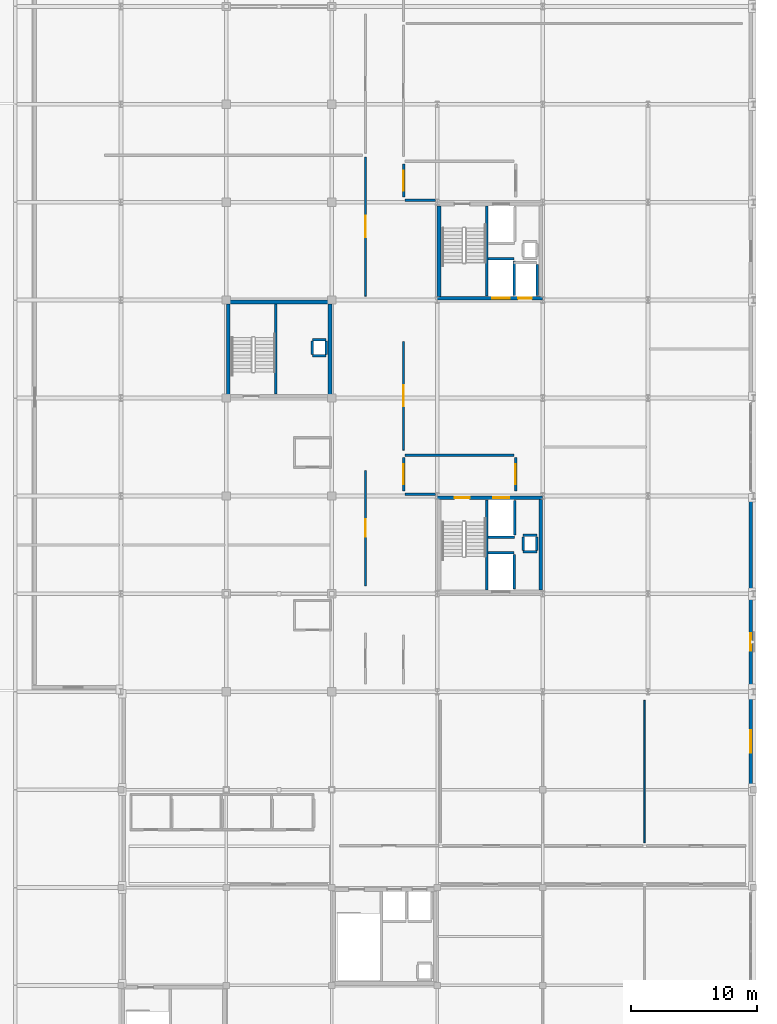
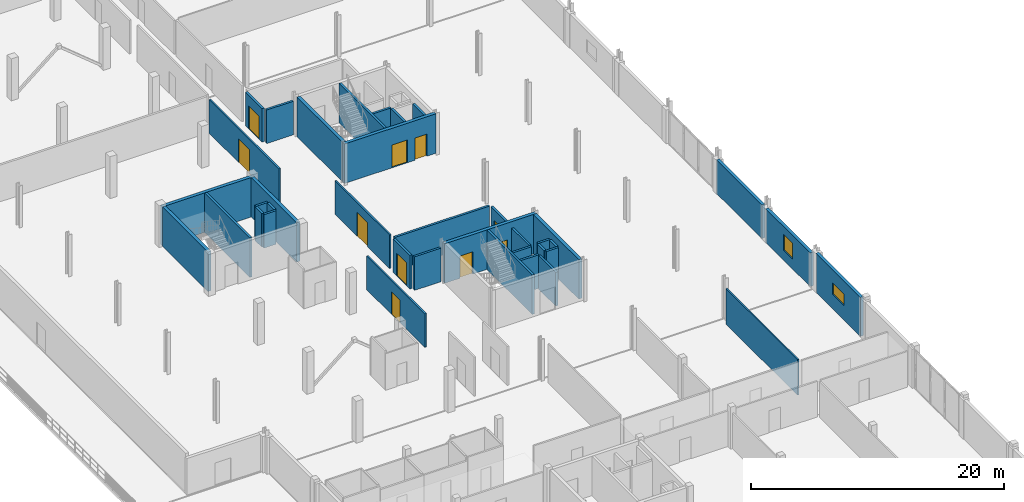
# One storey, part 30 of 41: 38 walls, 10 doors, 2 windows, 12 openings.
"""IFC4 building model written with IfcOpenShell, lengths in metres."""

from ifc_helpers import new_model, si_unit, direction, frame, frame_2d, origin, place, context, subcontext, project, spatial, rectangle, extrude, material, layer, layer_set, type_object, element, fill, save


model = new_model("IFC4")

# Units and contexts
model_context = context("Model", 3, precision=1e-05, world=origin(), true_north=direction((0.0, 1.0)))
body_context = subcontext(model_context, "Body", "Model", "MODEL_VIEW")
ifc_project = project(units=[si_unit("LENGTHUNIT", "METRE"), si_unit("AREAUNIT", "SQUARE_METRE"), si_unit("VOLUMEUNIT", "CUBIC_METRE"), si_unit("PLANEANGLEUNIT", "RADIAN"), si_unit("MASSUNIT", "GRAM", prefix="KILO")], contexts=[model_context])

# Site, building, storey
site_placement = place(None, origin())
site = spatial("IfcSite", under=ifc_project, at=site_placement, CompositionType="ELEMENT")
building_placement = place(site_placement, origin())
building = spatial("IfcBuilding", under=site, at=building_placement, Name="Nabrawat Pavilion Hospital", CompositionType="ELEMENT")
storey_placement = place(building_placement, frame((0.0, 0.0, 18.89990234375)))
storey = spatial("IfcBuildingStorey", under=building, at=storey_placement, Name="L04", CompositionType="ELEMENT", Elevation=18.89990234375)

# Wall, opening, door
ifc_material_1 = material(Name="Gypsum Fireboard on Steel Stud", Category="steel")
ifc_layer_1 = layer(ifc_material_1, 0.14990234375, Name="Gypsum Fireboard on Steel Stud")
ifc_layer_set_1 = layer_set([ifc_layer_1], Name="Gypsum Fireboard on Steel Stud")
wall_type_1 = type_object("IfcWallType", Name="Clinical Corridor Smoke-Barrier Wall 150", PredefinedType="PARTITIONING", material=ifc_layer_set_1)
wall_1_placement = place(storey_placement, frame((162.284912109375, 47.419921875, 0.0), z_axis=(0.0, 0.0, 1.0), x_axis=(0.0, 1.0, 0.0)))
wall_1 = element("IfcWall", 1, at=wall_1_placement, inside=storey, type_object=wall_type_1, Name="L04 Inpatient Ward Orthopaedic Recovery Bedroom L04-02 Front Partition", PredefinedType="PARTITIONING", context=body_context, shape_type="SweptSolid", body=[
    extrude(rectangle(XDim=9.219970703125, YDim=0.14990234375, at=frame_2d((4.60986328125, 0.0))), origin(), (0.0, 0.0, 1.0), 3.25),
])
opening_1_placement = place(wall_1_placement, frame((3.909912109375, 0.0, 0.0)))
opening_1 = element("IfcOpeningElement", 2, at=opening_1_placement, cuts=wall_1, Name="Opening D-BED", PredefinedType="OPENING", context=body_context, shape_type="SweptSolid", body=[
    extrude(rectangle(XDim=1.39990234375, YDim=2.199951171875, at=frame_2d((0.699951171875, 1.10009765625))), frame((0.0, 0.0849609375, 0.0), z_axis=(0.0, -1.0, 0.0), x_axis=(1.0, 0.0, 0.0)), (0.0, 0.0, 1.0), 0.169921875),
])
ifc_material_2 = material(Name="Stainless-Clad Acoustic Timber and Vision Glass", Category="wood")
door_type_1 = type_object("IfcDoorType", Name="D-BED Inpatient Ward Leaf-and-a-Half Door 1400x2200", OperationType="NOTDEFINED", PredefinedType="DOOR", material=ifc_material_2)
door_1_placement = place(opening_1_placement, origin())
door_1 = element("IfcDoor", 3, at=door_1_placement, inside=storey, type_object=door_type_1, Name="Inpatient Ward Orthopaedic Recovery Bedroom L04-02 Door", OperationType="SINGLE_SWING_RIGHT", OverallHeight=2.199951171875, OverallWidth=1.39990234375, PredefinedType="DOOR", context=body_context, shape_type="SweptSolid", body=[
    extrude(rectangle(XDim=1.39990234375, YDim=2.199951171875, at=frame_2d((0.699951171875, 1.10009765625))), frame((0.0, 0.02490234375, 0.0), z_axis=(0.0, -1.0, 0.0), x_axis=(1.0, 0.0, 0.0)), (0.0, 0.0, 1.0), 0.050048828125),
])
fill(opening_1, door_1)

wall_2_placement = place(storey_placement, frame((162.284912109375, 70.52001953125, 0.0), z_axis=(0.0, 0.0, 1.0), x_axis=(0.0, 1.0, 0.0)))
wall_2 = element("IfcWall", 4, at=wall_2_placement, inside=storey, type_object=wall_type_1, Name="L04 Intensive Care Pod Paediatric PICU L04-03 Front Partition", PredefinedType="PARTITIONING", context=body_context, shape_type="SweptSolid", body=[
    extrude(rectangle(XDim=11.070068359375, YDim=0.14990234375, at=frame_2d((5.53515625, 0.0))), origin(), (0.0, 0.0, 1.0), 3.25),
])
opening_2_placement = place(wall_2_placement, frame((4.68505859375, 0.0, 0.0)))
opening_2 = element("IfcOpeningElement", 5, at=opening_2_placement, cuts=wall_2, Name="Opening D-ICU", PredefinedType="OPENING", context=body_context, shape_type="SweptSolid", body=[
    extrude(rectangle(XDim=1.699951171875, YDim=2.300048828125, at=frame_2d((0.85009765625, 1.14990234375))), frame((0.0, 0.0849609375, 0.0), z_axis=(0.0, -1.0, 0.0), x_axis=(1.0, 0.0, 0.0)), (0.0, 0.0, 1.0), 0.169921875),
])
door_type_2 = type_object("IfcDoorType", Name="Intensive Care Glazed Breakout Door 1700x2300", OperationType="DOUBLE_DOOR_SLIDING", PredefinedType="DOOR", material=ifc_material_2)
door_2_placement = place(opening_2_placement, origin())
door_2 = element("IfcDoor", 6, at=door_2_placement, inside=storey, type_object=door_type_2, Name="Intensive Care Pod Paediatric PICU L04-03 Door", OperationType="DOUBLE_DOOR_SLIDING", OverallHeight=2.300048828125, OverallWidth=1.699951171875, PredefinedType="DOOR", context=body_context, shape_type="SweptSolid", body=[
    extrude(rectangle(XDim=1.699951171875, YDim=2.300048828125, at=frame_2d((0.85009765625, 1.14990234375))), frame((0.0, 0.02490234375, 0.0), z_axis=(0.0, -1.0, 0.0), x_axis=(1.0, 0.0, 0.0)), (0.0, 0.0, 1.0), 0.050048828125),
])
fill(opening_2, door_2)

wall_3_placement = place(storey_placement, frame((165.31494140625, 58.25, 0.0), z_axis=(0.0, 0.0, 1.0), x_axis=(0.0, 1.0, 0.0)))
wall_3 = element("IfcWall", 7, at=wall_3_placement, inside=storey, type_object=wall_type_1, Name="L04 Intensive Care Pod Paediatric PICU L04-09 Front Partition", PredefinedType="PARTITIONING", context=body_context, shape_type="SweptSolid", body=[
    extrude(rectangle(XDim=8.64990234375, YDim=0.14990234375, at=frame_2d((4.324951171875, 0.0))), origin(), (0.0, 0.0, 1.0), 3.25),
])
opening_3_placement = place(wall_3_placement, frame((3.47509765625, 0.0, 0.0)))
opening_3 = element("IfcOpeningElement", 8, at=opening_3_placement, cuts=wall_3, Name="Opening D-ICU", PredefinedType="OPENING", context=body_context, shape_type="SweptSolid", body=[
    extrude(rectangle(XDim=1.699951171875, YDim=2.300048828125, at=frame_2d((0.85009765625, 1.14990234375))), frame((0.0, 0.0849609375, 0.0), z_axis=(0.0, -1.0, 0.0), x_axis=(1.0, 0.0, 0.0)), (0.0, 0.0, 1.0), 0.169921875),
])
door_3_placement = place(opening_3_placement, origin())
door_3 = element("IfcDoor", 9, at=door_3_placement, inside=storey, type_object=door_type_2, Name="Intensive Care Pod Paediatric PICU L04-09 Door", OperationType="DOUBLE_DOOR_SLIDING", OverallHeight=2.300048828125, OverallWidth=1.699951171875, PredefinedType="DOOR", context=body_context, shape_type="SweptSolid", body=[
    extrude(rectangle(XDim=1.699951171875, YDim=2.300048828125, at=frame_2d((0.85009765625, 1.14990234375))), frame((0.0, 0.02490234375, 0.0), z_axis=(0.0, -1.0, 0.0), x_axis=(1.0, 0.0, 0.0)), (0.0, 0.0, 1.0), 0.050048828125),
])
fill(opening_3, door_3)

# Walls
ifc_material_3 = material(Name="Concrete C35/45", Category="concrete")
ifc_layer_2 = layer(ifc_material_3, 0.199951171875, Name="Concrete C35/45")
ifc_layer_set_2 = layer_set([ifc_layer_2], Name="Concrete C35/45")
wall_type_2 = type_object("IfcWallType", Name="Firefighting Lobby Compartment Wall 200", PredefinedType="PARTITIONING", material=ifc_layer_set_2)
wall_4_placement = place(storey_placement, frame((165.43994140625, 54.75, 0.0), z_axis=(0.0, 0.0, 1.0), x_axis=(1.0, 0.0, 0.0)))
element("IfcWall", 10, at=wall_4_placement, inside=storey, type_object=wall_type_2, Name="L04 CORE-5 Firefighting Lobby South Return Wall", PredefinedType="PARTITIONING", context=body_context, shape_type="SweptSolid", body=[
    extrude(rectangle(XDim=2.43994140625, YDim=0.199951171875, at=frame_2d((1.219970703125, 0.0))), origin(), (0.0, 0.0, 1.0), 3.25),
])
wall_5_placement = place(storey_placement, frame((165.43994140625, 57.85009765625, 0.0), z_axis=(0.0, 0.0, 1.0), x_axis=(1.0, 0.0, 0.0)))
element("IfcWall", 11, at=wall_5_placement, inside=storey, type_object=wall_type_2, Name="L04 CORE-5 Firefighting Lobby North Compartment Wall", PredefinedType="PARTITIONING", context=body_context, shape_type="SweptSolid", body=[
    extrude(rectangle(XDim=8.66015625, YDim=0.199951171875, at=frame_2d((4.330078125, 0.0))), origin(), (0.0, 0.0, 1.0), 3.25),
])

# Wall, opening, door
wall_6_placement = place(storey_placement, frame((165.320068359375, 55.0, 0.0), z_axis=(0.0, 0.0, 1.0), x_axis=(0.0, 1.0, 0.0)))
wall_6 = element("IfcWall", 12, at=wall_6_placement, inside=storey, type_object=wall_type_2, Name="L04 CORE-5 Firefighting Lobby West Compartment Wall", PredefinedType="PARTITIONING", context=body_context, shape_type="SweptSolid", body=[
    extrude(rectangle(XDim=2.64990234375, YDim=0.199951171875, at=frame_2d((1.324951171875, 0.0))), origin(), (0.0, 0.0, 1.0), 3.25),
])
opening_4_placement = place(wall_6_placement, frame((0.52490234375, 0.0, 0.0)))
opening_4 = element("IfcOpeningElement", 13, at=opening_4_placement, cuts=wall_6, Name="Opening D-FFL", PredefinedType="OPENING", context=body_context, shape_type="SweptSolid", body=[
    extrude(rectangle(XDim=1.60009765625, YDim=2.199951171875, at=frame_2d((0.800048828125, 1.10009765625))), frame((0.0, 0.10986328125, 0.0), z_axis=(0.0, -1.0, 0.0), x_axis=(1.0, 0.0, 0.0)), (0.0, 0.0, 1.0), 0.219970703125),
])
door_type_3 = type_object("IfcDoorType", Name="D-FFL Firefighting Lobby Double Smoke Door 1600x2200", OperationType="NOTDEFINED", PredefinedType="DOOR", material=ifc_material_2)
door_4_placement = place(opening_4_placement, origin())
door_4 = element("IfcDoor", 14, at=door_4_placement, inside=storey, type_object=door_type_3, Name="L04 CORE-5 Firefighting Lobby West Smoke Door", OperationType="DOUBLE_DOOR_SINGLE_SWING", OverallHeight=2.199951171875, OverallWidth=1.60009765625, PredefinedType="DOOR", context=body_context, shape_type="SweptSolid", body=[
    extrude(rectangle(XDim=1.60009765625, YDim=2.199951171875, at=frame_2d((0.800048828125, 1.10009765625))), frame((0.0, 0.02490234375, 0.0), z_axis=(0.0, -1.0, 0.0), x_axis=(1.0, 0.0, 0.0)), (0.0, 0.0, 1.0), 0.050048828125),
])
fill(opening_4, door_4)

wall_7_placement = place(storey_placement, frame((174.25, 55.0, 0.0), z_axis=(0.0, 0.0, 1.0), x_axis=(0.0, 1.0, 0.0)))
wall_7 = element("IfcWall", 15, at=wall_7_placement, inside=storey, type_object=wall_type_2, Name="L04 CORE-5 Firefighting Lobby East Compartment Wall", PredefinedType="PARTITIONING", context=body_context, shape_type="SweptSolid", body=[
    extrude(rectangle(XDim=2.64990234375, YDim=0.199951171875, at=frame_2d((1.324951171875, 0.0))), origin(), (0.0, 0.0, 1.0), 3.25),
])
opening_5_placement = place(wall_7_placement, frame((0.52490234375, 0.0, 0.0)))
opening_5 = element("IfcOpeningElement", 16, at=opening_5_placement, cuts=wall_7, Name="Opening D-FFL", PredefinedType="OPENING", context=body_context, shape_type="SweptSolid", body=[
    extrude(rectangle(XDim=1.60009765625, YDim=2.199951171875, at=frame_2d((0.800048828125, 1.10009765625))), frame((0.0, 0.10986328125, 0.0), z_axis=(0.0, -1.0, 0.0), x_axis=(1.0, 0.0, 0.0)), (0.0, 0.0, 1.0), 0.219970703125),
])
door_5_placement = place(opening_5_placement, origin())
door_5 = element("IfcDoor", 17, at=door_5_placement, inside=storey, type_object=door_type_3, Name="L04 CORE-5 Firefighting Lobby East Smoke Door", OperationType="DOUBLE_DOOR_SINGLE_SWING", OverallHeight=2.199951171875, OverallWidth=1.60009765625, PredefinedType="DOOR", context=body_context, shape_type="SweptSolid", body=[
    extrude(rectangle(XDim=1.60009765625, YDim=2.199951171875, at=frame_2d((0.800048828125, 1.10009765625))), frame((0.0, 0.02490234375, 0.0), z_axis=(0.0, -1.0, 0.0), x_axis=(1.0, 0.0, 0.0)), (0.0, 0.0, 1.0), 0.050048828125),
])
fill(opening_5, door_5)

# Wall
wall_8_placement = place(storey_placement, frame((165.43994140625, 78.14990234375, 0.0), z_axis=(0.0, 0.0, 1.0), x_axis=(1.0, 0.0, 0.0)))
element("IfcWall", 18, at=wall_8_placement, inside=storey, type_object=wall_type_2, Name="L04 CORE-6 Firefighting Lobby South Return Wall", PredefinedType="PARTITIONING", context=body_context, shape_type="SweptSolid", body=[
    extrude(rectangle(XDim=2.43994140625, YDim=0.199951171875, at=frame_2d((1.219970703125, 0.0))), origin(), (0.0, 0.0, 1.0), 3.25),
])

# Wall, opening, door
wall_9_placement = place(storey_placement, frame((165.320068359375, 78.39990234375, 0.0), z_axis=(0.0, 0.0, 1.0), x_axis=(0.0, 1.0, 0.0)))
wall_9 = element("IfcWall", 19, at=wall_9_placement, inside=storey, type_object=wall_type_2, Name="L04 CORE-6 Firefighting Lobby West Compartment Wall", PredefinedType="PARTITIONING", context=body_context, shape_type="SweptSolid", body=[
    extrude(rectangle(XDim=2.650146484375, YDim=0.199951171875, at=frame_2d((1.3251953125, 0.0))), origin(), (0.0, 0.0, 1.0), 3.25),
])
opening_6_placement = place(wall_9_placement, frame((0.52490234375, 0.0, 0.0)))
opening_6 = element("IfcOpeningElement", 20, at=opening_6_placement, cuts=wall_9, Name="Opening D-FFL", PredefinedType="OPENING", context=body_context, shape_type="SweptSolid", body=[
    extrude(rectangle(XDim=1.60009765625, YDim=2.199951171875, at=frame_2d((0.800048828125, 1.10009765625))), frame((0.0, 0.10986328125, 0.0), z_axis=(0.0, -1.0, 0.0), x_axis=(1.0, 0.0, 0.0)), (0.0, 0.0, 1.0), 0.219970703125),
])
door_6_placement = place(opening_6_placement, origin())
door_6 = element("IfcDoor", 21, at=door_6_placement, inside=storey, type_object=door_type_3, Name="L04 CORE-6 Firefighting Lobby West Smoke Door", OperationType="DOUBLE_DOOR_SINGLE_SWING", OverallHeight=2.199951171875, OverallWidth=1.60009765625, PredefinedType="DOOR", context=body_context, shape_type="SweptSolid", body=[
    extrude(rectangle(XDim=1.60009765625, YDim=2.199951171875, at=frame_2d((0.800048828125, 1.10009765625))), frame((0.0, 0.02490234375, 0.0), z_axis=(0.0, -1.0, 0.0), x_axis=(1.0, 0.0, 0.0)), (0.0, 0.0, 1.0), 0.050048828125),
])
fill(opening_6, door_6)

# Wall, opening, window
ifc_material_4 = material(Name="Precast concrete C40/50", Category="concrete")
ifc_layer_3 = layer(ifc_material_4, 0.280029296875, Name="Precast concrete C40/50")
ifc_layer_set_3 = layer_set([ifc_layer_3], Name="Precast concrete C40/50")
wall_type_3 = type_object("IfcWallType", Name="Insulated Precast Facade Wall 280", PredefinedType="SOLIDWALL", material=ifc_layer_set_3)
wall_10_placement = place(storey_placement, frame((192.97998046875, 31.5, 0.0), z_axis=(0.0, 0.0, 1.0), x_axis=(0.0, 1.0, 0.0)))
wall_10 = element("IfcWall", 22, at=wall_10_placement, inside=storey, type_object=wall_type_3, Name="L04 Insulated Precast Facade Wall 280 371", PredefinedType="SOLIDWALL", context=body_context, shape_type="SweptSolid", body=[
    extrude(rectangle(XDim=7.06005859375, YDim=0.280029296875, at=frame_2d((3.530029296875, 0.0))), origin(), (0.0, 0.0, 1.0), 3.77001953125),
])
opening_7_placement = place(wall_10_placement, frame((2.6298828125, 0.0, 1.39990234375)))
opening_7 = element("IfcOpeningElement", 23, at=opening_7_placement, cuts=wall_10, Name="Opening WN-06", PredefinedType="OPENING", context=body_context, shape_type="SweptSolid", body=[
    extrude(rectangle(XDim=1.800048828125, YDim=1.10009765625, at=frame_2d((0.89990234375, 0.550048828125))), frame((0.0, 0.14990234375, 0.0), z_axis=(0.0, -1.0, 0.0), x_axis=(1.0, 0.0, 0.0)), (0.0, 0.0, 1.0), 0.300048828125),
])
ifc_material_5 = material(Name="Thermally Broken Aluminium and Solar Glass", Category="aluminium")
window_type_1 = type_object("IfcWindowType", Name="Emergency Cubicle Clerestory Window 1800x1100", PartitioningType="SINGLE_PANEL", PredefinedType="WINDOW", material=ifc_material_5)
window_1_placement = place(opening_7_placement, origin())
window_1 = element("IfcWindow", 24, at=window_1_placement, inside=storey, type_object=window_type_1, Name="L04 Emergency Cubicle Clerestory Window 1800x1100 134", OverallHeight=1.10009765625, OverallWidth=1.800048828125, PartitioningType="SINGLE_PANEL", PredefinedType="WINDOW", context=body_context, shape_type="SweptSolid", body=[
    extrude(rectangle(XDim=1.800048828125, YDim=1.10009765625, at=frame_2d((0.89990234375, 0.550048828125))), frame((0.0, 0.030029296875, 0.0), z_axis=(0.0, -1.0, 0.0), x_axis=(1.0, 0.0, 0.0)), (0.0, 0.0, 1.0), 0.06005859375),
])
fill(opening_7, window_1)

wall_11_placement = place(storey_placement, frame((192.97998046875, 39.43994140625, 0.0), z_axis=(0.0, 0.0, 1.0), x_axis=(0.0, 1.0, 0.0)))
wall_11 = element("IfcWall", 25, at=wall_11_placement, inside=storey, type_object=wall_type_3, Name="L04 Insulated Precast Facade Wall 280 372", PredefinedType="SOLIDWALL", context=body_context, shape_type="SweptSolid", body=[
    extrude(rectangle(XDim=7.06005859375, YDim=0.280029296875, at=frame_2d((3.530029296875, 0.0))), origin(), (0.0, 0.0, 1.0), 3.25),
])
opening_8_placement = place(wall_11_placement, frame((2.830078125, 0.0, 0.949951171875)))
opening_8 = element("IfcOpeningElement", 26, at=opening_8_placement, cuts=wall_11, Name="Opening WN-07", PredefinedType="OPENING", context=body_context, shape_type="SweptSolid", body=[
    extrude(rectangle(XDim=1.39990234375, YDim=1.550048828125, at=frame_2d((0.699951171875, 0.77490234375))), frame((0.0, 0.14990234375, 0.0), z_axis=(0.0, -1.0, 0.0), x_axis=(1.0, 0.0, 0.0)), (0.0, 0.0, 1.0), 0.300048828125),
])
window_type_2 = type_object("IfcWindowType", Name="Emergency Staff Daylight Window 1400x1550", PartitioningType="SINGLE_PANEL", PredefinedType="WINDOW", material=ifc_material_5)
window_2_placement = place(opening_8_placement, origin())
window_2 = element("IfcWindow", 27, at=window_2_placement, inside=storey, type_object=window_type_2, Name="L04 Emergency Staff Daylight Window 1400x1550 135", OverallHeight=1.550048828125, OverallWidth=1.39990234375, PartitioningType="SINGLE_PANEL", PredefinedType="WINDOW", context=body_context, shape_type="SweptSolid", body=[
    extrude(rectangle(XDim=1.39990234375, YDim=1.550048828125, at=frame_2d((0.699951171875, 0.77490234375))), frame((0.0, 0.030029296875, 0.0), z_axis=(0.0, -1.0, 0.0), x_axis=(1.0, 0.0, 0.0)), (0.0, 0.0, 1.0), 0.06005859375),
])
fill(opening_8, window_2)

# Walls
wall_12_placement = place(storey_placement, frame((192.97998046875, 47.10009765625, 0.0), z_axis=(0.0, 0.0, 1.0), x_axis=(0.0, 1.0, 0.0)))
element("IfcWall", 28, at=wall_12_placement, inside=storey, type_object=wall_type_3, Name="L04 Insulated Precast Facade Wall 280 373", PredefinedType="SOLIDWALL", context=body_context, shape_type="SweptSolid", body=[
    extrude(rectangle(XDim=7.199951171875, YDim=0.280029296875, at=frame_2d((3.60009765625, 0.0))), origin(), (0.0, 0.0, 1.0), 3.25),
])
ifc_layer_4 = layer(ifc_material_3, 0.199951171875, Name="Concrete C35/45")
ifc_layer_set_4 = layer_set([ifc_layer_4], Name="Concrete C35/45")
wall_type_4 = type_object("IfcWallType", Name="Lift and Riser Fire Shaft Wall 200", PredefinedType="PARTITIONING", material=ifc_layer_set_4)
wall_13_placement = place(storey_placement, frame((171.949951171875, 47.1201171875, 0.0), z_axis=(0.0, 0.0, 1.0), x_axis=(0.0, 1.0, 0.0)))
element("IfcWall", 29, at=wall_13_placement, inside=storey, type_object=wall_type_4, Name="L04 CORE-5 Stair-Lift Dividing Shear Wall", PredefinedType="SHEAR", context=body_context, shape_type="SweptSolid", body=[
    extrude(rectangle(XDim=7.159912109375, YDim=0.199951171875, at=frame_2d((3.580078125, 0.0))), origin(), (0.0, 0.0, 1.0), 3.820068359375),
])
for number, where, z_axis, x_axis, name in (
    (30, (174.85009765625, 50.14990234375, 0.0), (0.0, 0.0, 1.0), (1.0, 0.0, 0.0), "L04 CORE-5 MEP Riser Shaft Wall S"),
    (31, (174.85009765625, 51.449951171875, 0.0), (0.0, 0.0, 1.0), (1.0, 0.0, 0.0), "L04 CORE-5 MEP Riser Shaft Wall N"),
):
    element("IfcWall", number, at=place(storey_placement, frame(where, z_axis=z_axis, x_axis=x_axis)), inside=storey, type_object=wall_type_4, Name=name, PredefinedType="PARTITIONING", context=body_context, shape_type="SweptSolid", body=[
        extrude(rectangle(XDim=1.099853515625, YDim=0.199951171875, at=frame_2d((0.5498046875, 0.0))), origin(), (0.0, 0.0, 1.0), 3.25),
    ])
for number, where, z_axis, x_axis, name in (
    (32, (174.85009765625, 50.27001953125, 0.0), (0.0, 0.0, 1.0), (0.0, 1.0, 0.0), "L04 CORE-5 MEP Riser Shaft Wall W"),
    (33, (175.949951171875, 50.27001953125, 0.0), (0.0, 0.0, 1.0), (0.0, 1.0, 0.0), "L04 CORE-5 MEP Riser Shaft Wall E"),
):
    element("IfcWall", number, at=place(storey_placement, frame(where, z_axis=z_axis, x_axis=x_axis)), inside=storey, type_object=wall_type_4, Name=name, PredefinedType="PARTITIONING", context=body_context, shape_type="SweptSolid", body=[
        extrude(rectangle(XDim=1.06005859375, YDim=0.199951171875, at=frame_2d((0.530029296875, 0.0))), origin(), (0.0, 0.0, 1.0), 3.25),
    ])
wall_14_placement = place(storey_placement, frame((174.179931640625, 51.47998046875, 0.0), z_axis=(0.0, 0.0, 1.0), x_axis=(0.0, 1.0, 0.0)))
element("IfcWall", 34, at=wall_14_placement, inside=storey, type_object=wall_type_4, Name="L04 Lift LF-01 Shaft East Wall", PredefinedType="PARTITIONING", context=body_context, shape_type="SweptSolid", body=[
    extrude(rectangle(XDim=2.739990234375, YDim=0.199951171875, at=frame_2d((1.3701171875, 0.0))), origin(), (0.0, 0.0, 1.0), 3.25),
])
wall_15_placement = place(storey_placement, frame((172.050048828125, 51.320068359375, 0.0), z_axis=(0.0, 0.0, 1.0), x_axis=(1.0, 0.0, 0.0)))
element("IfcWall", 35, at=wall_15_placement, inside=storey, type_object=wall_type_4, Name="L04 Lift LF-01 Shaft Back Wall", PredefinedType="PARTITIONING", context=body_context, shape_type="SweptSolid", body=[
    extrude(rectangle(XDim=2.099853515625, YDim=0.199951171875, at=frame_2d((1.0498046875, 0.0))), origin(), (0.0, 0.0, 1.0), 3.25),
])
wall_16_placement = place(storey_placement, frame((174.139892578125, 47.179931640625, 0.0), z_axis=(0.0, 0.0, 1.0), x_axis=(0.0, 1.0, 0.0)))
element("IfcWall", 36, at=wall_16_placement, inside=storey, type_object=wall_type_4, Name="L04 Lift LB-03 Shaft East Wall", PredefinedType="PARTITIONING", context=body_context, shape_type="SweptSolid", body=[
    extrude(rectangle(XDim=2.739990234375, YDim=0.199951171875, at=frame_2d((1.3701171875, 0.0))), origin(), (0.0, 0.0, 1.0), 3.25),
])
wall_17_placement = place(storey_placement, frame((172.050048828125, 50.080078125, 0.0), z_axis=(0.0, 0.0, 1.0), x_axis=(1.0, 0.0, 0.0)))
element("IfcWall", 37, at=wall_17_placement, inside=storey, type_object=wall_type_4, Name="L04 Lift LB-03 Shaft Back Wall", PredefinedType="PARTITIONING", context=body_context, shape_type="SweptSolid", body=[
    extrude(rectangle(XDim=2.06005859375, YDim=0.199951171875, at=frame_2d((1.030029296875, 0.0))), origin(), (0.0, 0.0, 1.0), 3.25),
])
wall_18_placement = place(storey_placement, frame((171.949951171875, 70.52001953125, 0.0), z_axis=(0.0, 0.0, 1.0), x_axis=(0.0, 1.0, 0.0)))
element("IfcWall", 38, at=wall_18_placement, inside=storey, type_object=wall_type_4, Name="L04 CORE-6 Stair-Lift Dividing Shear Wall", PredefinedType="SHEAR", context=body_context, shape_type="SweptSolid", body=[
    extrude(rectangle(XDim=7.159912109375, YDim=0.199951171875, at=frame_2d((3.580078125, 0.0))), origin(), (0.0, 0.0, 1.0), 3.820068359375),
])
wall_19_placement = place(storey_placement, frame((174.139892578125, 70.580078125, 0.0), z_axis=(0.0, 0.0, 1.0), x_axis=(0.0, 1.0, 0.0)))
element("IfcWall", 39, at=wall_19_placement, inside=storey, type_object=wall_type_4, Name="L04 Lift LB-04 Shaft East Wall", PredefinedType="PARTITIONING", context=body_context, shape_type="SweptSolid", body=[
    extrude(rectangle(XDim=2.739990234375, YDim=0.199951171875, at=frame_2d((1.3701171875, 0.0))), origin(), (0.0, 0.0, 1.0), 3.25),
])
wall_20_placement = place(storey_placement, frame((172.050048828125, 73.47998046875, 0.0), z_axis=(0.0, 0.0, 1.0), x_axis=(1.0, 0.0, 0.0)))
element("IfcWall", 40, at=wall_20_placement, inside=storey, type_object=wall_type_4, Name="L04 Lift LB-04 Shaft Back Wall", PredefinedType="PARTITIONING", context=body_context, shape_type="SweptSolid", body=[
    extrude(rectangle(XDim=2.06005859375, YDim=0.199951171875, at=frame_2d((1.030029296875, 0.0))), origin(), (0.0, 0.0, 1.0), 3.25),
])
wall_21_placement = place(storey_placement, frame((175.9599609375, 70.580078125, 0.0), z_axis=(0.0, 0.0, 1.0), x_axis=(0.0, 1.0, 0.0)))
element("IfcWall", 41, at=wall_21_placement, inside=storey, type_object=wall_type_4, Name="L04 Lift LS-02 Shaft East Wall", PredefinedType="PARTITIONING", context=body_context, shape_type="SweptSolid", body=[
    extrude(rectangle(XDim=2.43994140625, YDim=0.199951171875, at=frame_2d((1.219970703125, 0.0))), origin(), (0.0, 0.0, 1.0), 3.25),
])
wall_22_placement = place(storey_placement, frame((155.14990234375, 62.719970703125, 0.0), z_axis=(0.0, 0.0, 1.0), x_axis=(0.0, 1.0, 0.0)))
element("IfcWall", 42, at=wall_22_placement, inside=storey, type_object=wall_type_4, Name="L04 CORE-9 Stair-Lift Dividing Shear Wall", PredefinedType="SHEAR", context=body_context, shape_type="SweptSolid", body=[
    extrude(rectangle(XDim=7.159912109375, YDim=0.199951171875, at=frame_2d((3.580078125, 0.0))), origin(), (0.0, 0.0, 1.0), 3.820068359375),
])
for number, where, z_axis, x_axis, name in (
    (43, (158.050048828125, 65.75, 0.0), (0.0, 0.0, 1.0), (1.0, 0.0, 0.0), "L04 CORE-9 MEP Riser Shaft Wall S"),
    (44, (158.050048828125, 67.050048828125, 0.0), (0.0, 0.0, 1.0), (1.0, 0.0, 0.0), "L04 CORE-9 MEP Riser Shaft Wall N"),
):
    element("IfcWall", number, at=place(storey_placement, frame(where, z_axis=z_axis, x_axis=x_axis)), inside=storey, type_object=wall_type_4, Name=name, PredefinedType="PARTITIONING", context=body_context, shape_type="SweptSolid", body=[
        extrude(rectangle(XDim=1.099853515625, YDim=0.199951171875, at=frame_2d((0.5498046875, 0.0))), origin(), (0.0, 0.0, 1.0), 3.25),
    ])
for number, where, z_axis, x_axis, name in (
    (45, (158.050048828125, 65.8701171875, 0.0), (0.0, 0.0, 1.0), (0.0, 1.0, 0.0), "L04 CORE-9 MEP Riser Shaft Wall W"),
    (46, (159.14990234375, 65.8701171875, 0.0), (0.0, 0.0, 1.0), (0.0, 1.0, 0.0), "L04 CORE-9 MEP Riser Shaft Wall E"),
):
    element("IfcWall", number, at=place(storey_placement, frame(where, z_axis=z_axis, x_axis=x_axis)), inside=storey, type_object=wall_type_4, Name=name, PredefinedType="PARTITIONING", context=body_context, shape_type="SweptSolid", body=[
        extrude(rectangle(XDim=1.059814453125, YDim=0.199951171875, at=frame_2d((0.52978515625, 0.0))), origin(), (0.0, 0.0, 1.0), 3.25),
    ])
ifc_material_6 = material(Name="Gypsum Plasterboard on Stud", Category="gypsum")
ifc_layer_5 = layer(ifc_material_6, 0.1201171875, Name="Gypsum Plasterboard on Stud")
ifc_layer_set_5 = layer_set([ifc_layer_5], Name="Gypsum Plasterboard on Stud")
wall_type_5 = type_object("IfcWallType", Name="Outpatient Consultation Partition 120", PredefinedType="PARTITIONING", material=ifc_layer_set_5)
wall_23_placement = place(storey_placement, frame((184.530029296875, 26.9599609375, 0.0), z_axis=(0.0, 0.0, 1.0), x_axis=(0.0, 1.0, 0.0)))
element("IfcWall", 47, at=wall_23_placement, inside=storey, type_object=wall_type_5, Name="L04 Outpatient Clinic Executive Screening Suite L04-07 Dividing Partition", PredefinedType="PARTITIONING", context=body_context, shape_type="SweptSolid", body=[
    extrude(rectangle(XDim=11.35009765625, YDim=0.1201171875, at=frame_2d((5.675048828125, 0.0))), origin(), (0.0, 0.0, 1.0), 3.440185546875),
])

# Wall, openings, doors
ifc_material_7 = material(Name="Concrete C40/50", Category="concrete")
ifc_layer_6 = layer(ifc_material_7, 0.300048828125, Name="Concrete C40/50")
ifc_layer_set_6 = layer_set([ifc_layer_6], Name="Concrete C40/50")
wall_type_6 = type_object("IfcWallType", Name="Reinforced Concrete Core Shear Wall 300", PredefinedType="SHEAR", material=ifc_layer_set_6)
wall_24_placement = place(storey_placement, frame((168.0, 54.449951171875, 0.0), z_axis=(0.0, 0.0, 1.0), x_axis=(1.0, 0.0, 0.0)))
wall_24 = element("IfcWall", 48, at=wall_24_placement, inside=storey, type_object=wall_type_6, Name="L04 CORE-5 North Core Shear Wall", PredefinedType="SHEAR", context=body_context, shape_type="SweptSolid", body=[
    extrude(rectangle(XDim=8.39990234375, YDim=0.300048828125, at=frame_2d((4.199951171875, 0.0))), origin(), (0.0, 0.0, 1.0), 3.820068359375),
])
opening_9_placement = place(wall_24_placement, frame((1.3798828125, 0.0, 0.0)))
opening_9 = element("IfcOpeningElement", 49, at=opening_9_placement, cuts=wall_24, Name="Opening D-STAIR", PredefinedType="OPENING", context=body_context, shape_type="SweptSolid", body=[
    extrude(rectangle(XDim=1.199951171875, YDim=2.14990234375, at=frame_2d((0.60009765625, 1.074951171875))), frame((0.0, 0.16015625, 0.0), z_axis=(0.0, -1.0, 0.0), x_axis=(1.0, 0.0, 0.0)), (0.0, 0.0, 1.0), 0.320068359375),
])
opening_10_placement = place(wall_24_placement, frame((4.449951171875, 0.0, 0.0)))
opening_10 = element("IfcOpeningElement", 50, at=opening_10_placement, cuts=wall_24, Name="Opening LD-LF-01", PredefinedType="OPENING", context=body_context, shape_type="SweptSolid", body=[
    extrude(rectangle(XDim=1.300048828125, YDim=2.199951171875, at=frame_2d((0.64990234375, 1.10009765625))), frame((0.0, 0.16015625, 0.0), z_axis=(0.0, -1.0, 0.0), x_axis=(1.0, 0.0, 0.0)), (0.0, 0.0, 1.0), 0.320068359375),
])
door_type_4 = type_object("IfcDoorType", Name="D-STAIR Exit Stair Fire Door 1200x2150", OperationType="NOTDEFINED", PredefinedType="DOOR", material=ifc_material_2)
door_7_placement = place(opening_9_placement, origin())
door_7 = element("IfcDoor", 51, at=door_7_placement, inside=storey, type_object=door_type_4, Name="L04 ST-05 Fire Exit Stair Door", OperationType="SINGLE_SWING_RIGHT", OverallHeight=2.14990234375, OverallWidth=1.199951171875, PredefinedType="DOOR", context=body_context, shape_type="SweptSolid", body=[
    extrude(rectangle(XDim=1.199951171875, YDim=2.14990234375, at=frame_2d((0.60009765625, 1.074951171875))), frame((0.0, 0.02490234375, 0.0), z_axis=(0.0, -1.0, 0.0), x_axis=(1.0, 0.0, 0.0)), (0.0, 0.0, 1.0), 0.050048828125),
])
fill(opening_9, door_7)
door_type_5 = type_object("IfcDoorType", Name="Firefighting Lift Sliding Landing Door 1300x2200", OperationType="DOUBLE_DOOR_SLIDING", PredefinedType="DOOR", material=ifc_material_2)
door_8_placement = place(opening_10_placement, origin())
door_8 = element("IfcDoor", 52, at=door_8_placement, inside=storey, type_object=door_type_5, Name="L04 Lift LF-01 Sliding Landing Door", OperationType="DOUBLE_DOOR_SLIDING", OverallHeight=2.199951171875, OverallWidth=1.300048828125, PredefinedType="DOOR", context=body_context, shape_type="SweptSolid", body=[
    extrude(rectangle(XDim=1.300048828125, YDim=2.199951171875, at=frame_2d((0.64990234375, 1.10009765625))), frame((0.0, 0.02490234375, 0.0), z_axis=(0.0, -1.0, 0.0), x_axis=(1.0, 0.0, 0.0)), (0.0, 0.0, 1.0), 0.050048828125),
])
fill(opening_10, door_8)

# Wall
wall_25_placement = place(storey_placement, frame((176.25, 47.10009765625, 0.0), z_axis=(0.0, 0.0, 1.0), x_axis=(0.0, 1.0, 0.0)))
element("IfcWall", 53, at=wall_25_placement, inside=storey, type_object=wall_type_6, Name="L04 CORE-5 East Core Shear Wall", PredefinedType="SHEAR", context=body_context, shape_type="SweptSolid", body=[
    extrude(rectangle(XDim=7.199951171875, YDim=0.300048828125, at=frame_2d((3.60009765625, 0.0))), origin(), (0.0, 0.0, 1.0), 3.820068359375),
])

# Wall, openings, doors
wall_26_placement = place(storey_placement, frame((168.0, 70.35009765625, 0.0), z_axis=(0.0, 0.0, 1.0), x_axis=(1.0, 0.0, 0.0)))
wall_26 = element("IfcWall", 54, at=wall_26_placement, inside=storey, type_object=wall_type_6, Name="L04 CORE-6 South Core Shear Wall", PredefinedType="SHEAR", context=body_context, shape_type="SweptSolid", body=[
    extrude(rectangle(XDim=8.39990234375, YDim=0.300048828125, at=frame_2d((4.199951171875, 0.0))), origin(), (0.0, 0.0, 1.0), 3.820068359375),
])
opening_11_placement = place(wall_26_placement, frame((4.3798828125, 0.0, 0.0)))
opening_11 = element("IfcOpeningElement", 55, at=opening_11_placement, cuts=wall_26, Name="Opening LD-LB-04", PredefinedType="OPENING", context=body_context, shape_type="SweptSolid", body=[
    extrude(rectangle(XDim=1.39990234375, YDim=2.199951171875, at=frame_2d((0.699951171875, 1.10009765625))), frame((0.0, 0.16015625, 0.0), z_axis=(0.0, -1.0, 0.0), x_axis=(1.0, 0.0, 0.0)), (0.0, 0.0, 1.0), 0.320068359375),
])
opening_12_placement = place(wall_26_placement, frame((6.449951171875, 0.0, 0.0)))
opening_12 = element("IfcOpeningElement", 56, at=opening_12_placement, cuts=wall_26, Name="Opening LD-LS-02", PredefinedType="OPENING", context=body_context, shape_type="SweptSolid", body=[
    extrude(rectangle(XDim=1.10009765625, YDim=2.14990234375, at=frame_2d((0.550048828125, 1.074951171875))), frame((0.0, 0.16015625, 0.0), z_axis=(0.0, -1.0, 0.0), x_axis=(1.0, 0.0, 0.0)), (0.0, 0.0, 1.0), 0.320068359375),
])
door_type_6 = type_object("IfcDoorType", Name="Hospital Bed Lift Sliding Landing Door 1400x2200", OperationType="DOUBLE_DOOR_SLIDING", PredefinedType="DOOR", material=ifc_material_2)
door_9_placement = place(opening_11_placement, origin())
door_9 = element("IfcDoor", 57, at=door_9_placement, inside=storey, type_object=door_type_6, Name="L04 Lift LB-04 Sliding Landing Door", OperationType="DOUBLE_DOOR_SLIDING", OverallHeight=2.199951171875, OverallWidth=1.39990234375, PredefinedType="DOOR", context=body_context, shape_type="SweptSolid", body=[
    extrude(rectangle(XDim=1.39990234375, YDim=2.199951171875, at=frame_2d((0.699951171875, 1.10009765625))), frame((0.0, 0.02490234375, 0.0), z_axis=(0.0, -1.0, 0.0), x_axis=(1.0, 0.0, 0.0)), (0.0, 0.0, 1.0), 0.050048828125),
])
fill(opening_11, door_9)
door_type_7 = type_object("IfcDoorType", Name="Passenger Lift Sliding Landing Door 1100x2150", OperationType="DOUBLE_DOOR_SLIDING", PredefinedType="DOOR", material=ifc_material_2)
door_10_placement = place(opening_12_placement, origin())
door_10 = element("IfcDoor", 58, at=door_10_placement, inside=storey, type_object=door_type_7, Name="L04 Lift LS-02 Sliding Landing Door", OperationType="DOUBLE_DOOR_SLIDING", OverallHeight=2.14990234375, OverallWidth=1.10009765625, PredefinedType="DOOR", context=body_context, shape_type="SweptSolid", body=[
    extrude(rectangle(XDim=1.10009765625, YDim=2.14990234375, at=frame_2d((0.550048828125, 1.074951171875))), frame((0.0, 0.02490234375, 0.0), z_axis=(0.0, -1.0, 0.0), x_axis=(1.0, 0.0, 0.0)), (0.0, 0.0, 1.0), 0.050048828125),
])
fill(opening_12, door_10)

# Walls
wall_27_placement = place(storey_placement, frame((168.14990234375, 70.5, 0.0), z_axis=(0.0, 0.0, 1.0), x_axis=(0.0, 1.0, 0.0)))
element("IfcWall", 59, at=wall_27_placement, inside=storey, type_object=wall_type_6, Name="L04 CORE-6 West Core Shear Wall", PredefinedType="SHEAR", context=body_context, shape_type="SweptSolid", body=[
    extrude(rectangle(XDim=7.199951171875, YDim=0.300048828125, at=frame_2d((3.60009765625, 0.0))), origin(), (0.0, 0.0, 1.0), 3.820068359375),
])
wall_28_placement = place(storey_placement, frame((151.199951171875, 70.050048828125, 0.0), z_axis=(0.0, 0.0, 1.0), x_axis=(1.0, 0.0, 0.0)))
element("IfcWall", 60, at=wall_28_placement, inside=storey, type_object=wall_type_6, Name="L04 CORE-9 North Core Shear Wall", PredefinedType="SHEAR", context=body_context, shape_type="SweptSolid", body=[
    extrude(rectangle(XDim=8.400146484375, YDim=0.300048828125, at=frame_2d((4.2001953125, 0.0))), origin(), (0.0, 0.0, 1.0), 3.820068359375),
])
for number, where, z_axis, x_axis, name in (
    (61, (151.35009765625, 62.699951171875, 0.0), (0.0, 0.0, 1.0), (0.0, 1.0, 0.0), "L04 CORE-9 West Core Shear Wall"),
    (62, (159.449951171875, 62.699951171875, 0.0), (0.0, 0.0, 1.0), (0.0, 1.0, 0.0), "L04 CORE-9 East Core Shear Wall"),
):
    element("IfcWall", number, at=place(storey_placement, frame(where, z_axis=z_axis, x_axis=x_axis)), inside=storey, type_object=wall_type_6, Name=name, PredefinedType="SHEAR", context=body_context, shape_type="SweptSolid", body=[
        extrude(rectangle(XDim=7.199951171875, YDim=0.300048828125, at=frame_2d((3.60009765625, 0.0))), origin(), (0.0, 0.0, 1.0), 3.820068359375),
    ])

save(model, "model.ifc")
